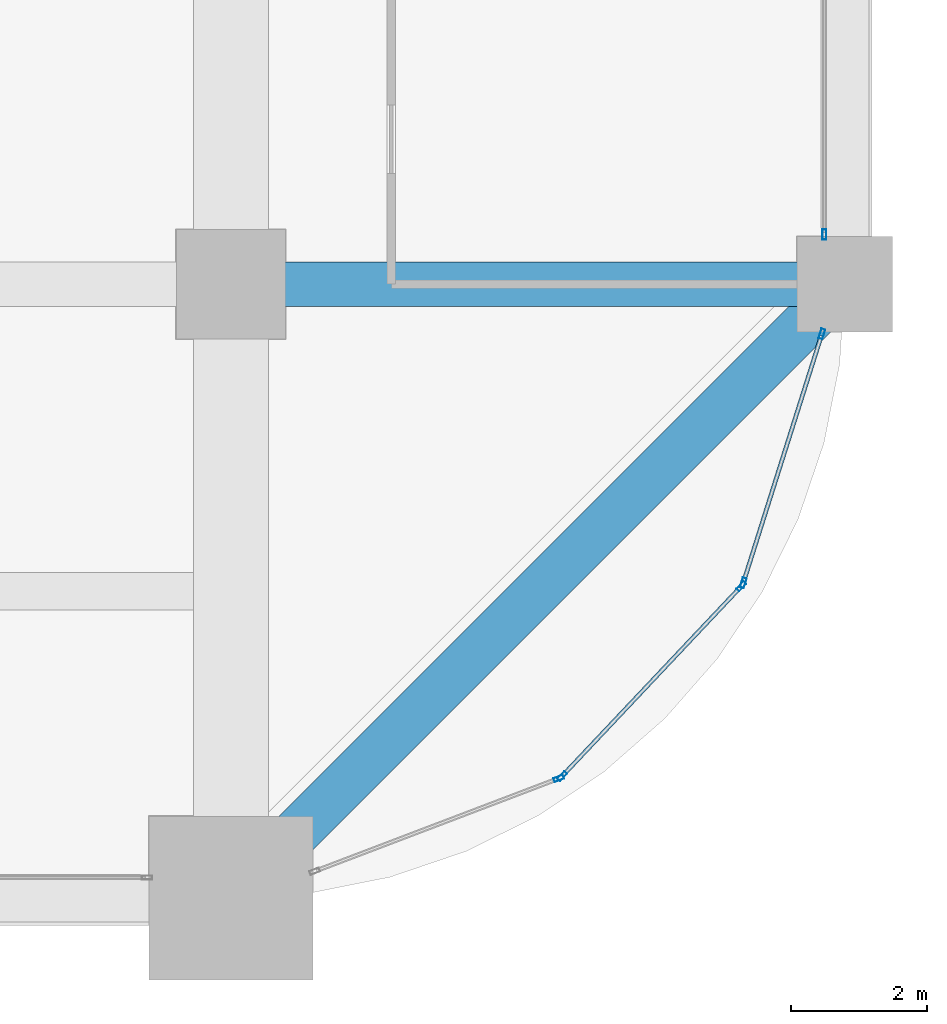
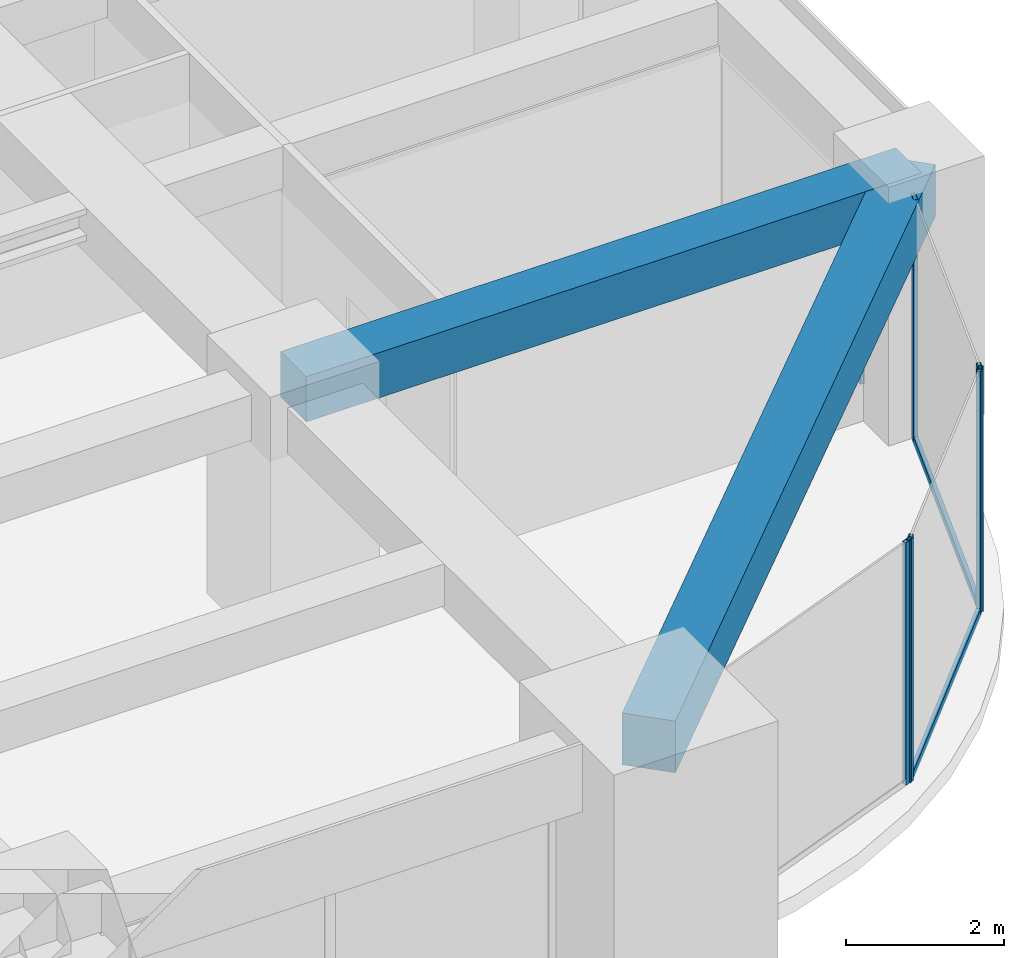
# One storey, part 16 of 32: 8 members, 2 beams, 4 elements without a shape of their own.
"""IFC4 building model written with IfcOpenShell, lengths in metres."""

import ifcopenshell
import ifcopenshell.guid

model = None  # the IFC model being written
_history = None  # IfcOwnerHistory: only IFC2X3 demands one
_inside = {}  # id of a spatial element -> (the spatial element, [elements in it])
_under = {}  # id of a project, library or spatial element -> (it, [spatial elements below it])
_declared = {}  # id of a project -> (the project, [libraries it declares])
_typed = {}  # id of a type object -> (the type object, [elements of that type])
_made_of = {}  # id of a material, layer set ... -> (it, [elements and type objects made of it])


def new_model(schema):
    """Start an empty IFC model of exactly this schema.

    Asked for "IFC4X3", IfcOpenShell would pick the latest addendum, in which some entities
    have other attributes; the version numbers below select the first issue.
    IFC2X3 requires an IfcOwnerHistory on every rooted entity: one is made here for all.
    """
    global model, _history
    if schema == "IFC4X3":
        model = ifcopenshell.file(schema_version=(4, 3, 0, 0))
    else:
        model = ifcopenshell.file(schema=schema)
    _inside.clear()
    _under.clear()
    _declared.clear()
    _typed.clear()
    _made_of.clear()
    _history = None
    if model.schema == "IFC2X3":
        org = make("IfcOrganization", Name="unknown")
        user = make(
            "IfcPersonAndOrganization",
            ThePerson=make("IfcPerson", FamilyName="unknown"),
            TheOrganization=org,
        )
        app = make(
            "IfcApplication",
            ApplicationDeveloper=org,
            Version="unknown",
            ApplicationFullName="unknown",
            ApplicationIdentifier="unknown",
        )
        _history = make(
            "IfcOwnerHistory",
            OwningUser=user,
            OwningApplication=app,
            ChangeAction="ADDED",
            CreationDate=0,
        )
    return model


def make(cls, **values):
    """One entity of the class cls with the attributes given. An attribute that is None is left unset."""
    return model.create_entity(
        cls, **{name: value for name, value in values.items() if value is not None}
    )


def rooted(cls, **values):
    """An entity with a GlobalId (a new one), such as an element, a storey or a relation."""
    return make(cls, GlobalId=ifcopenshell.guid.new(), OwnerHistory=_history, **values)


def si_unit(unit_type, name, prefix=None):
    """IfcSIUnit, for example si_unit("LENGTHUNIT", "METRE", prefix="MILLI")."""
    return make("IfcSIUnit", UnitType=unit_type, Prefix=prefix, Name=name)


def assignment(units):
    """IfcUnitAssignment: the units of a project."""
    return None if units is None else make("IfcUnitAssignment", Units=units)


def point(xyz):
    """IfcCartesianPoint."""
    return None if xyz is None else make("IfcCartesianPoint", Coordinates=xyz)


def direction(xyz):
    """IfcDirection."""
    return None if xyz is None else make("IfcDirection", DirectionRatios=xyz)


def frame(location, z_axis=None, x_axis=None):
    """IfcAxis2Placement3D, a coordinate frame: its origin and axes. An axis left out is left unset."""
    return make(
        "IfcAxis2Placement3D",
        Location=point(location),
        Axis=direction(z_axis),
        RefDirection=direction(x_axis),
    )


def frame_2d(location, x_axis=None):
    """IfcAxis2Placement2D, a coordinate frame in the plane: its origin and x axis."""
    return make(
        "IfcAxis2Placement2D", Location=point(location), RefDirection=direction(x_axis)
    )


def origin():
    """The frame at (0, 0, 0) with its axes left unset."""
    return frame((0.0, 0.0, 0.0))


def origin_2d():
    """The frame at (0, 0) in the plane with its x axis left unset."""
    return frame_2d((0.0, 0.0))


def place(relative_to, where):
    """IfcLocalPlacement: puts the frame where relative to a parent placement (None: the world)."""
    return make(
        "IfcLocalPlacement", PlacementRelTo=relative_to, RelativePlacement=where
    )


def context(
    kind, dimensions, precision=None, world=None, true_north=None, identifier=None
):
    """IfcGeometricRepresentationContext, for example the 3D "Model" context."""
    return make(
        "IfcGeometricRepresentationContext",
        ContextIdentifier=identifier,
        ContextType=kind,
        CoordinateSpaceDimension=dimensions,
        Precision=precision,
        WorldCoordinateSystem=world,
        TrueNorth=true_north,
    )


def subcontext(parent, identifier, kind, view, scale=None):
    """IfcGeometricRepresentationSubContext, for example "Body" below "Model"."""
    return make(
        "IfcGeometricRepresentationSubContext",
        ContextIdentifier=identifier,
        ContextType=kind,
        ParentContext=parent,
        TargetScale=scale,
        TargetView=view,
    )


def project(units=None, contexts=None):
    """IfcProject with its units and contexts."""
    return rooted(
        "IfcProject",
        Name="project",
        RepresentationContexts=contexts,
        UnitsInContext=assignment(units),
    )


def spatial(cls, under=None, at=None, **own):
    """A site, building, storey or space (cls), placed at a placement, below another one or the project."""
    s = rooted(cls, ObjectPlacement=at, **own)
    if under is not None:
        _under.setdefault(under.id(), (under, []))[1].append(s)
    return s


def profile(cls, at=None, kind="AREA", **sizes):
    """A parametric profile (cls). Its sizes go by their IFC names, for example OverallWidth=200.0."""
    return make(cls, ProfileType=kind, Position=at, **sizes)


def rectangle(**sizes):
    """IfcRectangleProfileDef."""
    return profile("IfcRectangleProfileDef", **sizes)


def hollow_rectangle(**sizes):
    """IfcRectangleHollowProfileDef."""
    return profile("IfcRectangleHollowProfileDef", **sizes)


def extrude(swept, where, along, depth):
    """IfcExtrudedAreaSolid: the profile swept, set in the frame where, extruded along a direction by depth."""
    return make(
        "IfcExtrudedAreaSolid",
        SweptArea=swept,
        Position=where,
        ExtrudedDirection=direction(along),
        Depth=depth,
    )


def shape(context_of_items, identifier, shape_type, items):
    """IfcShapeRepresentation: the items that make up one representation, for example the "Body"."""
    return make(
        "IfcShapeRepresentation",
        ContextOfItems=context_of_items,
        RepresentationIdentifier=identifier,
        RepresentationType=shape_type,
        Items=items,
    )


def material(Name=None, Category=None):
    """IfcMaterial."""
    return make("IfcMaterial", Name=Name, Category=Category)


def material_profile(
    of_material, cross_section, Name=None, Category=None, Priority=None
):
    """IfcMaterialProfile: a cross section and its material."""
    return make(
        "IfcMaterialProfile",
        Name=Name,
        Material=of_material,
        Profile=cross_section,
        Priority=Priority,
        Category=Category,
    )


def profile_set(profiles, Name=None, composite=None):
    """IfcMaterialProfileSet."""
    return make(
        "IfcMaterialProfileSet",
        Name=Name,
        MaterialProfiles=profiles,
        CompositeProfile=composite,
    )


def made_of(thing, what):
    """Note that an element or type object is made of a material, layer set ...; save() writes the relation."""
    if what is not None:
        _made_of.setdefault(what.id(), (what, []))[1].append(thing)
    return thing


def type_object(cls, material=None, **own):
    """A type object (cls), such as IfcWallType, which elements share."""
    return made_of(rooted(cls, **own), material)


def element(
    cls,
    number,
    at=None,
    inside=None,
    cuts=None,
    type_object=None,
    material=None,
    context=None,
    identifier="Body",
    shape_type=None,
    held_by="IfcProductDefinitionShape",
    body=None,
    shapes=None,
    **own,
):
    """One element of the class cls, such as IfcWall. Its Tag is "e" and its number.

    at: its placement. inside: the storey or other place that contains it. cuts: it is an
    opening in that element (IfcRelVoidsElement). A single representation is given by context,
    identifier, shape_type and body (its items); several are given by shapes. held_by: the class
    of the entity that holds the representations. save() writes the other relations.
    """
    e = rooted(cls, Tag="e%d" % number, ObjectPlacement=at, **own)
    if body is not None:
        shapes = [shape(context, identifier, shape_type, body)]
    if shapes is not None:
        e.Representation = make(held_by, Representations=shapes)
    if inside is not None:
        _inside.setdefault(inside.id(), (inside, []))[1].append(e)
    if cuts is not None:
        rooted(
            "IfcRelVoidsElement", RelatingBuildingElement=cuts, RelatedOpeningElement=e
        )
    if type_object is not None:
        _typed.setdefault(type_object.id(), (type_object, []))[1].append(e)
    return made_of(e, material)


def aggregate(whole, parts):
    """IfcRelAggregates: a whole, such as a stair, and the parts it consists of."""
    return rooted("IfcRelAggregates", RelatingObject=whole, RelatedObjects=parts)


def save(model, path):
    """Write the relations noted so far, then the file.

    IfcRelAggregates (storeys below a building ...), IfcRelContainedInSpatialStructure (elements
    in a storey), IfcRelDefinesByType, IfcRelAssociatesMaterial and IfcRelDeclares: one each for
    every whole, place, type object, material and project.
    """
    for whole, parts in _under.values():
        aggregate(whole, parts)
    for where, things in _inside.values():
        rooted(
            "IfcRelContainedInSpatialStructure",
            RelatedElements=things,
            RelatingStructure=where,
        )
    for kind, things in _typed.values():
        rooted("IfcRelDefinesByType", RelatedObjects=things, RelatingType=kind)
    for what, things in _made_of.values():
        rooted("IfcRelAssociatesMaterial", RelatedObjects=things, RelatingMaterial=what)
    for by, libraries in _declared.values():
        rooted("IfcRelDeclares", RelatingContext=by, RelatedDefinitions=libraries)
    model.write(path)


model = new_model("IFC4")

# Units and contexts
model_context = context("Model", 3, precision=1e-05, world=origin(), true_north=direction((0.0, 1.0)))
body_context = subcontext(model_context, "Body", "Model", "MODEL_VIEW")
ifc_project = project(units=[si_unit("LENGTHUNIT", "METRE"), si_unit("AREAUNIT", "SQUARE_METRE"), si_unit("VOLUMEUNIT", "CUBIC_METRE"), si_unit("PLANEANGLEUNIT", "RADIAN"), si_unit("MASSUNIT", "GRAM", prefix="KILO")], contexts=[model_context])

# Site, building, storey
site_placement = place(None, origin())
site = spatial("IfcSite", under=ifc_project, at=site_placement, CompositionType="ELEMENT")
building_placement = place(site_placement, origin())
building = spatial("IfcBuilding", under=site, at=building_placement, Name="Zorevar Civic Tower", CompositionType="ELEMENT")
storey_placement = place(building_placement, frame((0.0, 0.0, 190.199951171875)))
storey = spatial("IfcBuildingStorey", under=building, at=storey_placement, Name="L46", CompositionType="ELEMENT", Elevation=190.199951171875)

# Beam
ifc_material_1 = material(Name="Concrete C50/60", Category="concrete")
ifc_material_profile_1 = material_profile(ifc_material_1, rectangle(XDim=0.64990234375, YDim=0.699951171875, at=origin_2d()), Name="RC 650x700")
ifc_profile_set_1 = profile_set([ifc_material_profile_1], Name="Concrete C50/60")
beam_type_1 = type_object("IfcBeamType", Name="Beam RC 650x700", PredefinedType="BEAM", material=ifc_profile_set_1)
beam_1_placement = place(storey_placement, frame((45.0, 9.0, 3.400146484375), z_axis=(1.0, 0.0, 0.0), x_axis=(0.0, 1.0, 0.0)))
element("IfcBeam", 1, at=beam_1_placement, inside=storey, type_object=beam_type_1, Name="Girder L47", PredefinedType="BEAM", context=body_context, shape_type="SweptSolid", body=[
    extrude(rectangle(XDim=0.64990234375, YDim=0.699951171875, at=origin_2d()), origin(), (0.0, 0.0, 1.0), 9.0),
])

# Curtain wall, member
ifc_material_2 = material(Name="Dark grey solar-control glass in black aluminium frame", Category="aluminium")
curtain_wall_type = type_object("IfcCurtainWallType", Name="Curtain wall CW4 high zone", PredefinedType="NOTDEFINED", material=ifc_material_2)
curtain_wall_1_placement = place(storey_placement, origin())
curtain_wall_1 = element("IfcCurtainWall", 2, at=curtain_wall_1_placement, inside=storey, type_object=curtain_wall_type, Name="CW4 L46", PredefinedType="NOTDEFINED")
ifc_material_3 = material(Name="Aluminium, black anodised", Category="aluminium")
ifc_material_profile_2 = material_profile(ifc_material_3, hollow_rectangle(XDim=0.06005859375, YDim=0.14990234375, WallThickness=0.00390625, at=origin_2d()), Name="AL 150x60x4")
ifc_profile_set_2 = profile_set([ifc_material_profile_2], Name="Aluminium, black anodised")
member_type_1 = type_object("IfcMemberType", Name="CW4 mullion AL 150x60x4", PredefinedType="MULLION", material=ifc_profile_set_2)
member_1_placement = place(storey_placement, frame((53.699951171875, 9.72998046875, 0.0), z_axis=(0.0, 0.0, 1.0), x_axis=(-1.0, 0.0, 0.0)))
member_1 = element("IfcMember", 3, at=member_1_placement, type_object=member_type_1, Name="CW4 mullion 1", PredefinedType="MULLION", context=body_context, shape_type="SweptSolid", body=[
    extrude(hollow_rectangle(XDim=0.06005859375, YDim=0.14990234375, WallThickness=0.00390625, at=origin_2d()), origin(), (0.0, 0.0, 1.0), 2.949951171875),
])
aggregate(curtain_wall_1, [member_1])

curtain_wall_2_placement = place(storey_placement, origin())
curtain_wall_2 = element("IfcCurtainWall", 4, at=curtain_wall_2_placement, inside=storey, type_object=curtain_wall_type, Name="CW4 L46", PredefinedType="NOTDEFINED")
member_2_placement = place(storey_placement, frame((49.804931640625, 1.75537109375, 0.0), z_axis=(0.0, 0.0, 1.0), x_axis=(-0.355730895803, 0.93458842801, 0.0)))
member_2 = element("IfcMember", 5, at=member_2_placement, type_object=member_type_1, Name="CW4 mullion 2", PredefinedType="MULLION", context=body_context, shape_type="SweptSolid", body=[
    extrude(hollow_rectangle(XDim=0.06005859375, YDim=0.14990234375, WallThickness=0.00390625, at=origin_2d()), origin(), (0.0, 0.0, 1.0), 3.75),
])
aggregate(curtain_wall_2, [member_2])

# Curtain wall, members
curtain_wall_3_placement = place(storey_placement, origin())
curtain_wall_3 = element("IfcCurtainWall", 6, at=curtain_wall_3_placement, inside=storey, type_object=curtain_wall_type, Name="CW4 L46", PredefinedType="NOTDEFINED")
member_3_placement = place(storey_placement, frame((49.853759765625, 1.787841796875, 0.0), z_axis=(0.0, 0.0, 1.0), x_axis=(-0.727245053898, 0.686377907265, 0.0)))
member_3 = element("IfcMember", 7, at=member_3_placement, type_object=member_type_1, Name="CW4 mullion 1", PredefinedType="MULLION", context=body_context, shape_type="SweptSolid", body=[
    extrude(hollow_rectangle(XDim=0.06005859375, YDim=0.14990234375, WallThickness=0.00390625, at=origin_2d()), origin(), (0.0, 0.0, 1.0), 3.75),
])
member_4_placement = place(storey_placement, frame((52.480712890625, 4.5712890625, 0.0), z_axis=(0.0, 0.0, 1.0), x_axis=(-0.727245053898, 0.686377907265, 0.0)))
member_4 = element("IfcMember", 8, at=member_4_placement, type_object=member_type_1, Name="CW4 mullion 2", PredefinedType="MULLION", context=body_context, shape_type="SweptSolid", body=[
    extrude(hollow_rectangle(XDim=0.06005859375, YDim=0.14990234375, WallThickness=0.00390625, at=origin_2d()), origin(), (0.0, 0.0, 1.0), 3.75),
])

curtain_wall_4_placement = place(storey_placement, origin())
curtain_wall_4 = element("IfcCurtainWall", 9, at=curtain_wall_4_placement, inside=storey, type_object=curtain_wall_type, Name="CW4 L46", PredefinedType="NOTDEFINED")
member_5_placement = place(storey_placement, frame((52.51025390625, 4.62158203125, 0.0), z_axis=(0.0, 0.0, 1.0), x_axis=(-0.953589950678, 0.301108296077, 0.0)))
member_5 = element("IfcMember", 10, at=member_5_placement, type_object=member_type_1, Name="CW4 mullion 1", PredefinedType="MULLION", context=body_context, shape_type="SweptSolid", body=[
    extrude(hollow_rectangle(XDim=0.06005859375, YDim=0.14990234375, WallThickness=0.00390625, at=origin_2d()), origin(), (0.0, 0.0, 1.0), 3.75),
])
member_6_placement = place(storey_placement, frame((53.66259765625, 8.271484375, 0.0), z_axis=(0.0, 0.0, 1.0), x_axis=(-0.953589950678, 0.301108296077, 0.0)))
member_6 = element("IfcMember", 11, at=member_6_placement, type_object=member_type_1, Name="CW4 mullion 2", PredefinedType="MULLION", context=body_context, shape_type="SweptSolid", body=[
    extrude(hollow_rectangle(XDim=0.06005859375, YDim=0.14990234375, WallThickness=0.00390625, at=origin_2d()), origin(), (0.0, 0.0, 1.0), 3.75),
])

# Member
ifc_material_4 = material(Name="Aluminium, black anodised", Category="aluminium")
ifc_material_profile_3 = material_profile(ifc_material_4, hollow_rectangle(XDim=0.06005859375, YDim=0.1201171875, WallThickness=0.0029296875, at=origin_2d()), Name="AL 120x60x3")
ifc_profile_set_3 = profile_set([ifc_material_profile_3], Name="Aluminium, black anodised")
member_type_2 = type_object("IfcMemberType", Name="CW4 transom AL 120x60x3", PredefinedType="USERDEFINED", material=ifc_profile_set_3)
member_7_placement = place(storey_placement, frame((49.874267578125, 1.8095703125, 0.030029296875), z_axis=(0.686332338526, 0.727288059227, 0.0), x_axis=(-0.727288059227, 0.686332338526, 0.0)))
member_7 = element("IfcMember", 12, at=member_7_placement, type_object=member_type_2, Name="CW4 sill transom", ObjectType="TRANSOM", PredefinedType="USERDEFINED", context=body_context, shape_type="SweptSolid", body=[
    extrude(hollow_rectangle(XDim=0.06005859375, YDim=0.1201171875, WallThickness=0.0029296875, at=origin_2d()), origin(), (0.0, 0.0, 1.0), 3.767333984375),
])

aggregate(curtain_wall_3, [member_3, member_4, member_7])

member_8_placement = place(storey_placement, frame((52.519287109375, 4.650390625, 0.030029296875), z_axis=(0.301100351109, 0.953592459367, 0.0), x_axis=(-0.953592459367, 0.301100351109, 0.0)))
member_8 = element("IfcMember", 13, at=member_8_placement, type_object=member_type_2, Name="CW4 sill transom", ObjectType="TRANSOM", PredefinedType="USERDEFINED", context=body_context, shape_type="SweptSolid", body=[
    extrude(hollow_rectangle(XDim=0.06005859375, YDim=0.1201171875, WallThickness=0.0029296875, at=origin_2d()), origin(), (0.0, 0.0, 1.0), 3.76708984375),
])

aggregate(curtain_wall_4, [member_5, member_6, member_8])

# Beam
ifc_material_5 = material(Name="Concrete C50/60", Category="concrete")
ifc_material_profile_4 = material_profile(ifc_material_5, rectangle(XDim=0.699951171875, YDim=0.800048828125, at=origin_2d()), Name="RC 700x800")
ifc_profile_set_4 = profile_set([ifc_material_profile_4], Name="Concrete C50/60")
beam_type_2 = type_object("IfcBeamType", Name="Edge beam RC 700x800", PredefinedType="SPANDREL", material=ifc_profile_set_4)
beam_2_placement = place(storey_placement, frame((45.0, 0.0, 3.35009765625), z_axis=(0.707106781187, 0.707106781187, 0.0), x_axis=(-0.707106781187, 0.707106781187, 0.0)))
element("IfcBeam", 14, at=beam_2_placement, inside=storey, type_object=beam_type_2, Name="Corner edge beam L47", PredefinedType="SPANDREL", context=body_context, shape_type="SweptSolid", body=[
    extrude(rectangle(XDim=0.699951171875, YDim=0.800048828125, at=origin_2d()), origin(), (0.0, 0.0, 1.0), 12.72802734375),
])

save(model, "model.ifc")
